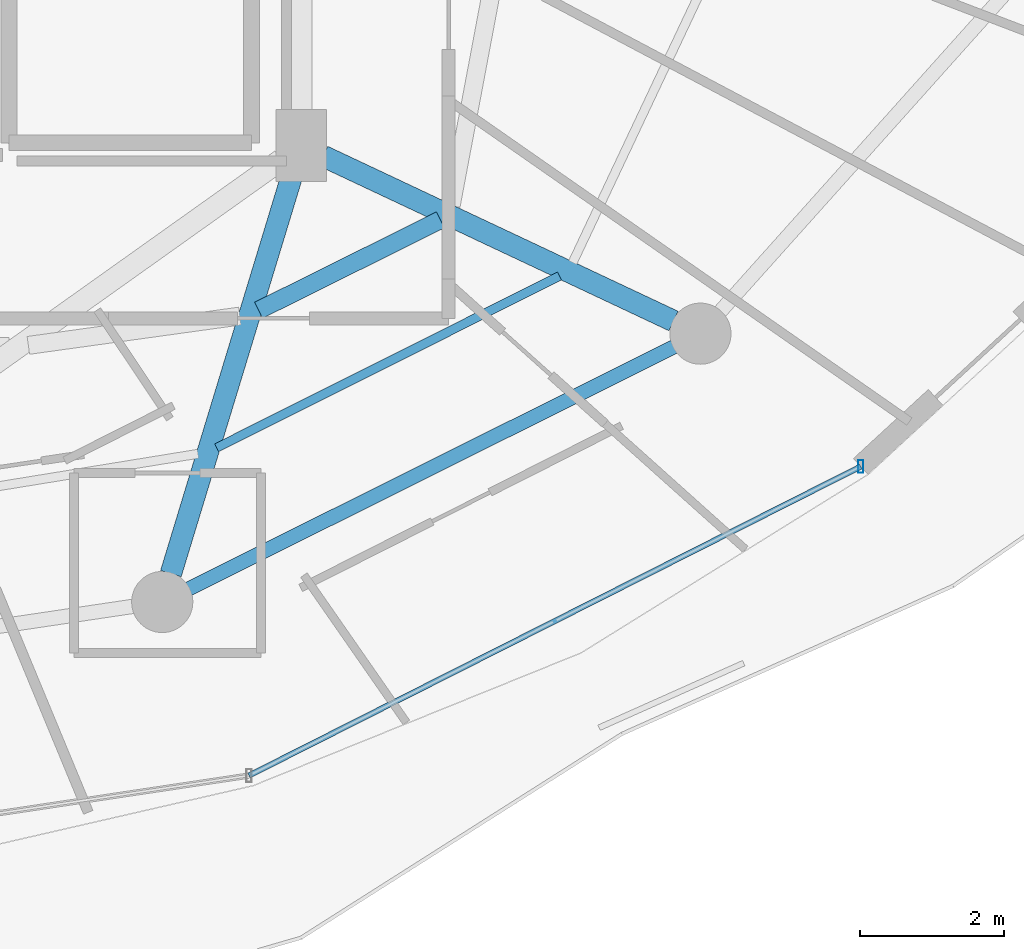
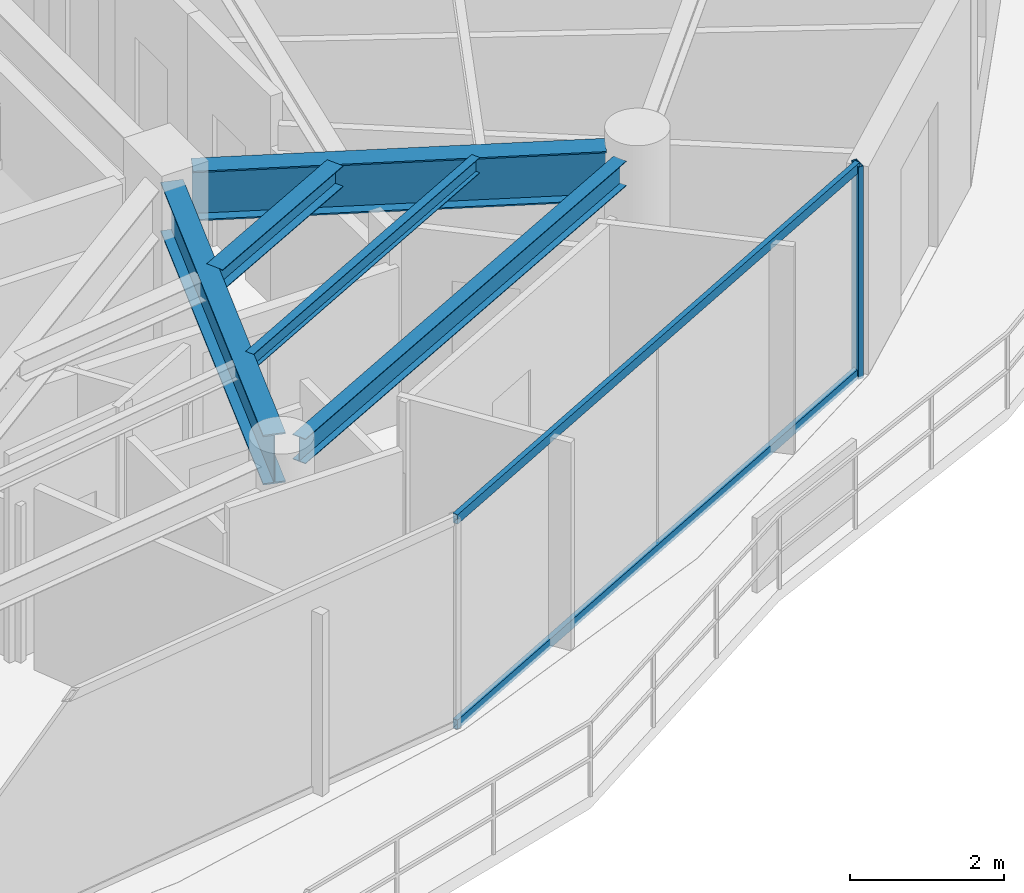
# One storey, part 11 of 30: 5 beams, 3 members, 1 element without a shape of its own.
"""IFC4 building model written with IfcOpenShell, lengths in metres."""

from ifc_helpers import new_model, si_unit, direction, frame, origin, origin_2d, place, context, subcontext, project, spatial, hollow_rectangle, i_section, extrude, material, material_profile, profile_set, type_object, element, aggregate, save


model = new_model("IFC4")

# Units and contexts
model_context = context("Model", 3, precision=1e-05, world=origin(), true_north=direction((0.0, 1.0)))
body_context = subcontext(model_context, "Body", "Model", "MODEL_VIEW")
ifc_project = project(units=[si_unit("LENGTHUNIT", "METRE"), si_unit("AREAUNIT", "SQUARE_METRE"), si_unit("VOLUMEUNIT", "CUBIC_METRE"), si_unit("PLANEANGLEUNIT", "RADIAN"), si_unit("MASSUNIT", "GRAM", prefix="KILO")], contexts=[model_context])

# Site, building, storey
site_placement = place(None, origin())
site = spatial("IfcSite", under=ifc_project, at=site_placement, CompositionType="ELEMENT")
building_placement = place(site_placement, origin())
building = spatial("IfcBuilding", under=site, at=building_placement, Name="Vorneva Point Tower", CompositionType="ELEMENT")
storey_placement = place(building_placement, frame((0.0, 0.0, 262.64990234375)))
storey = spatial("IfcBuildingStorey", under=building, at=storey_placement, Name="L71", CompositionType="ELEMENT", Elevation=262.64990234375)

# Beams
ifc_material_1 = material(Name="Steel S355", Category="steel")
ifc_material_profile_1 = material_profile(ifc_material_1, i_section(OverallWidth=0.300048828125, OverallDepth=0.7880859375, WebThickness=0.014404296875, FlangeThickness=0.02197265625, at=origin_2d()), Name="80Sh1")
ifc_profile_set_1 = profile_set([ifc_material_profile_1], Name="Steel S355")
beam_type_1 = type_object("IfcBeamType", Name="BM-GRD-80Sh1", PredefinedType="USERDEFINED", material=ifc_profile_set_1)
beam_1_placement = place(storey_placement, frame((46.941162109375, 10.50439453125, 2.89599609375), z_axis=(0.291032624293, 0.956713129207, 0.0), x_axis=(-0.956713129207, 0.291032624293, 0.0)))
element("IfcBeam", 1, at=beam_1_placement, inside=storey, type_object=beam_type_1, Name="L71 Radial Primary Girder 14", ObjectType="GIRDER", PredefinedType="USERDEFINED", context=body_context, shape_type="SweptSolid", body=[
    extrude(i_section(OverallWidth=0.300048828125, OverallDepth=0.7880859375, WebThickness=0.014404296875, FlangeThickness=0.02197265625, at=origin_2d()), origin(), (0.0, 0.0, 1.0), 5.874755859375),
])
beam_2_placement = place(storey_placement, frame((53.925048828125, 14.013671875, 2.89599609375), z_axis=(-0.904750812805, 0.425941271455, 0.0), x_axis=(-0.425941271455, -0.904750812805, 0.0)))
element("IfcBeam", 2, at=beam_2_placement, inside=storey, type_object=beam_type_1, Name="L71 Radial Primary Girder 15", ObjectType="GIRDER", PredefinedType="USERDEFINED", context=body_context, shape_type="SweptSolid", body=[
    extrude(i_section(OverallWidth=0.300048828125, OverallDepth=0.7880859375, WebThickness=0.014404296875, FlangeThickness=0.02197265625, at=origin_2d()), origin(), (0.0, 0.0, 1.0), 5.3798828125),
])
ifc_material_profile_2 = material_profile(ifc_material_1, i_section(OverallWidth=0.1240234375, OverallDepth=0.248046875, WebThickness=0.0048828125, FlangeThickness=0.008056640625, at=origin_2d()), Name="25B1")
ifc_profile_set_2 = profile_set([ifc_material_profile_2], Name="Steel S355")
beam_type_2 = type_object("IfcBeamType", Name="BM-JST-25B1", PredefinedType="JOIST", material=ifc_profile_set_2)
beam_3_placement = place(storey_placement, frame((47.577392578125, 12.252197265625, 3.166015625), z_axis=(0.894042010331, 0.447983128883, 0.0), x_axis=(-0.447983128883, 0.894042010331, 0.0)))
element("IfcBeam", 3, at=beam_3_placement, inside=storey, type_object=beam_type_2, Name="L71 Secondary Floor Beam 1.14", PredefinedType="JOIST", context=body_context, shape_type="SweptSolid", body=[
    extrude(i_section(OverallWidth=0.1240234375, OverallDepth=0.248046875, WebThickness=0.0048828125, FlangeThickness=0.008056640625, at=origin_2d()), origin(), (0.0, 0.0, 1.0), 5.328857421875),
])
ifc_material_profile_3 = material_profile(ifc_material_1, i_section(OverallWidth=0.2490234375, OverallDepth=0.333984375, WebThickness=0.008056640625, FlangeThickness=0.010986328125, at=origin_2d()), Name="35Sh1")
ifc_profile_set_3 = profile_set([ifc_material_profile_3], Name="Steel S355")
beam_type_3 = type_object("IfcBeamType", Name="BM-SEC-35Sh1", PredefinedType="BEAM", material=ifc_profile_set_3)
beam_4_placement = place(storey_placement, frame((48.158935546875, 14.162841796875, 3.123046875), z_axis=(0.895531752864, 0.444997617536, 0.0), x_axis=(-0.444997617536, 0.895531752864, 0.0)))
element("IfcBeam", 4, at=beam_4_placement, inside=storey, type_object=beam_type_3, Name="L71 Secondary Floor Beam 2.14", PredefinedType="BEAM", context=body_context, shape_type="SweptSolid", body=[
    extrude(i_section(OverallWidth=0.2490234375, OverallDepth=0.333984375, WebThickness=0.008056640625, FlangeThickness=0.010986328125, at=origin_2d()), origin(), (0.0, 0.0, 1.0), 2.822265625),
])
ifc_material_profile_4 = material_profile(ifc_material_1, i_section(OverallWidth=0.198974609375, OverallDepth=0.39599609375, WebThickness=0.007080078125, FlangeThickness=0.010986328125, at=origin_2d()), Name="40B1")
ifc_profile_set_4 = profile_set([ifc_material_profile_4], Name="Steel S355")
beam_type_4 = type_object("IfcBeamType", Name="BM-SPN-40B1", PredefinedType="SPANDREL", material=ifc_profile_set_4)
beam_5_placement = place(storey_placement, frame((47.187744140625, 10.292236328125, 3.092041015625), z_axis=(0.894932011528, 0.446202526599, 0.0), x_axis=(-0.446202526599, 0.894932011528, 0.0)))
element("IfcBeam", 5, at=beam_5_placement, inside=storey, type_object=beam_type_4, Name="L71 Perimeter Spandrel Ring Beam 14", PredefinedType="SPANDREL", context=body_context, shape_type="SweptSolid", body=[
    extrude(i_section(OverallWidth=0.198974609375, OverallDepth=0.39599609375, WebThickness=0.007080078125, FlangeThickness=0.010986328125, at=origin_2d()), origin(), (0.0, 0.0, 1.0), 7.535888671875),
])

# Curtain wall, members
ifc_material_2 = material(Name="Pale anodised aluminium", Category="aluminium")
curtain_wall_type = type_object("IfcCurtainWallType", Name="CW-RES-SYS", PredefinedType="NOTDEFINED", material=ifc_material_2)
curtain_wall_placement = place(storey_placement, origin())
curtain_wall = element("IfcCurtainWall", 6, at=curtain_wall_placement, inside=storey, type_object=curtain_wall_type, Name="L71 Unitised Curtain Wall CW-L71-R04", PredefinedType="NOTDEFINED")
ifc_material_profile_5 = material_profile(ifc_material_2, hollow_rectangle(XDim=0.074951171875, YDim=0.179931640625, WallThickness=0.00390625, at=origin_2d()), Name="AL-MUL 180x75x4")
ifc_profile_set_5 = profile_set([ifc_material_profile_5], Name="Pale anodised aluminium")
member_type_1 = type_object("IfcMemberType", Name="CW-MUL-180", PredefinedType="MULLION", material=ifc_profile_set_5)
member_1_placement = place(storey_placement, frame((56.526123046875, 11.9921875, -0.039794921875), z_axis=(0.0, 0.0, 1.0), x_axis=(1.0, 0.0, 0.0)))
member_1 = element("IfcMember", 7, at=member_1_placement, type_object=member_type_1, Name="CW-L71-R04 Mullion 05", PredefinedType="MULLION", context=body_context, shape_type="SweptSolid", body=[
    extrude(hollow_rectangle(XDim=0.074951171875, YDim=0.179931640625, WallThickness=0.00390625, at=origin_2d()), origin(), (0.0, 0.0, 1.0), 3.35986328125),
])
ifc_material_profile_6 = material_profile(ifc_material_2, hollow_rectangle(XDim=0.074951171875, YDim=0.14990234375, WallThickness=0.00390625, at=origin_2d()), Name="AL-TRN 150x75x4")
ifc_profile_set_6 = profile_set([ifc_material_profile_6], Name="Pale anodised aluminium")
member_type_2 = type_object("IfcMemberType", Name="CW-TRN-150", PredefinedType="USERDEFINED", material=ifc_profile_set_6)
member_2_placement = place(storey_placement, frame((48.0263671875, 7.697998046875, 0.02001953125), z_axis=(0.892558185815, 0.450932239848, 0.0), x_axis=(-0.450932239848, 0.892558185815, 0.0)))
member_2 = element("IfcMember", 8, at=member_2_placement, type_object=member_type_2, Name="CW-L71-R04 Transom 04.1", ObjectType="TRANSOM", PredefinedType="USERDEFINED", context=body_context, shape_type="SweptSolid", body=[
    extrude(hollow_rectangle(XDim=0.074951171875, YDim=0.14990234375, WallThickness=0.00390625, at=origin_2d()), origin(), (0.0, 0.0, 1.0), 9.52294921875),
])
member_3_placement = place(storey_placement, frame((48.0263671875, 7.697998046875, 3.27001953125), z_axis=(0.892558185815, 0.450932239848, 0.0), x_axis=(-0.450932239848, 0.892558185815, 0.0)))
member_3 = element("IfcMember", 9, at=member_3_placement, type_object=member_type_2, Name="CW-L71-R04 Transom 04.2", ObjectType="TRANSOM", PredefinedType="USERDEFINED", context=body_context, shape_type="SweptSolid", body=[
    extrude(hollow_rectangle(XDim=0.074951171875, YDim=0.14990234375, WallThickness=0.00390625, at=origin_2d()), origin(), (0.0, 0.0, 1.0), 9.52294921875),
])
aggregate(curtain_wall, [member_1, member_2, member_3])

save(model, "model.ifc")
